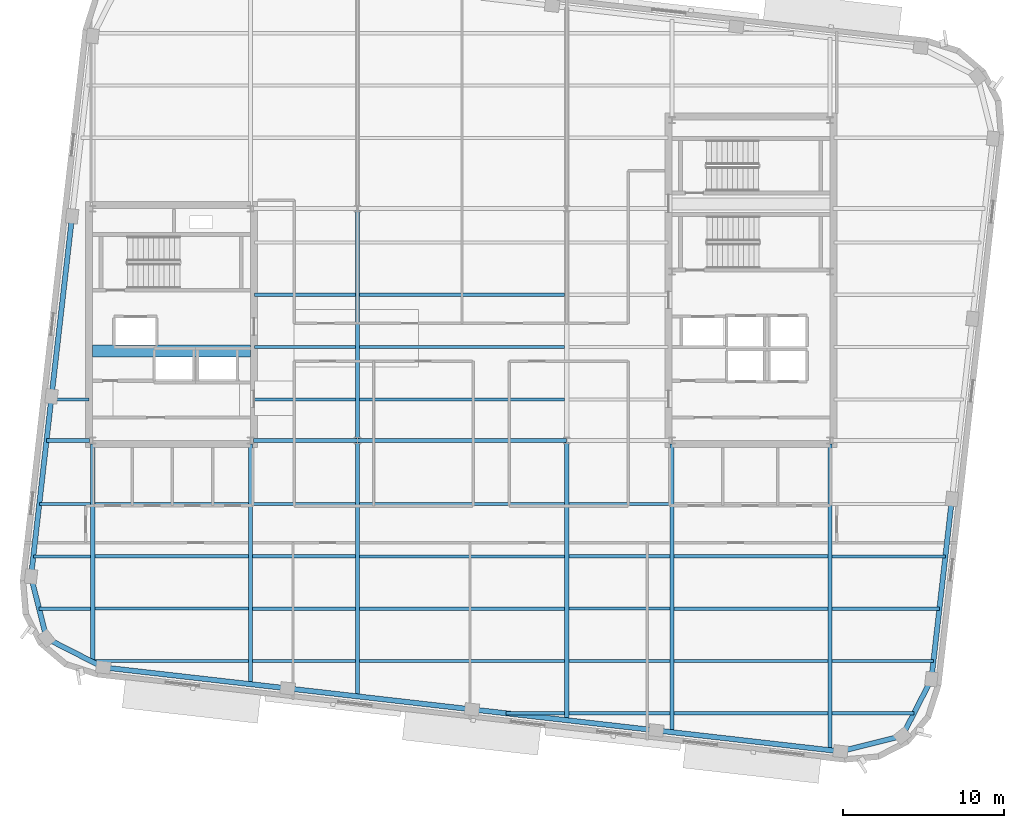
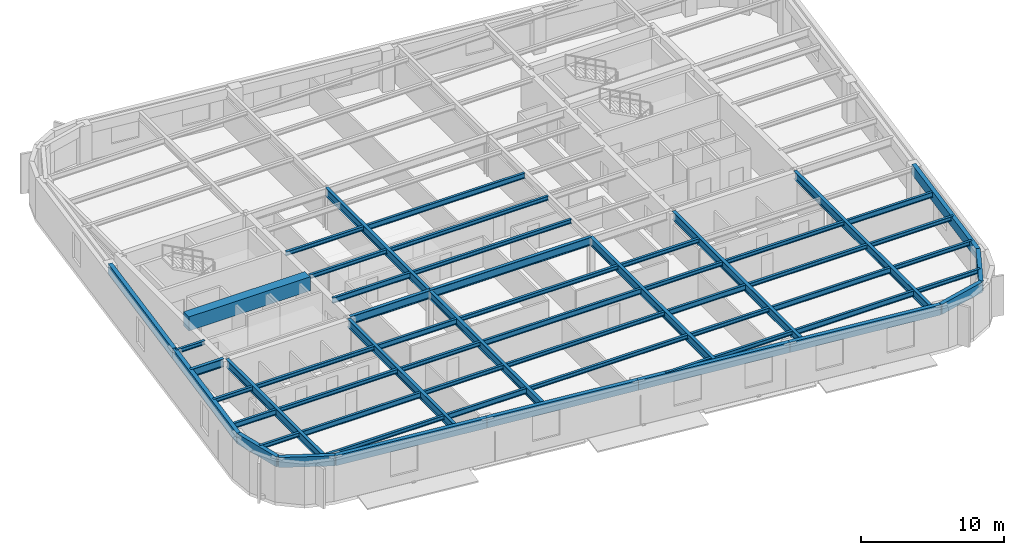
# One storey, part 3 of 14: 58 beams.
"""IFC4 building model written with IfcOpenShell, lengths in metres."""

from ifc_helpers import new_model, si_unit, direction, frame, origin, origin_2d, place, context, subcontext, project, spatial, rectangle, hollow_rectangle, i_section, extrude, material, material_profile, profile_set, type_object, element, save


model = new_model("IFC4")

# Units and contexts
model_context = context("Model", 3, precision=1e-05, world=origin(), true_north=direction((0.0, 1.0)))
body_context = subcontext(model_context, "Body", "Model", "MODEL_VIEW")
ifc_project = project(units=[si_unit("LENGTHUNIT", "METRE"), si_unit("AREAUNIT", "SQUARE_METRE"), si_unit("VOLUMEUNIT", "CUBIC_METRE"), si_unit("PLANEANGLEUNIT", "RADIAN"), si_unit("MASSUNIT", "GRAM", prefix="KILO")], contexts=[model_context])

# Site, building, storey
site_placement = place(None, origin())
site = spatial("IfcSite", under=ifc_project, at=site_placement, CompositionType="ELEMENT")
building_placement = place(site_placement, origin())
building = spatial("IfcBuilding", under=site, at=building_placement, Name="Kolvaren Arena Tower", CompositionType="ELEMENT")
storey_placement = place(building_placement, frame((0.0, 0.0, 224.699951171875)))
storey = spatial("IfcBuildingStorey", under=building, at=storey_placement, Name="L54", CompositionType="ELEMENT", Elevation=224.699951171875)

# Beams
ifc_material_1 = material(Name="Steel CSA G40.21 350W", Category="steel")
ifc_material_profile_1 = material_profile(ifc_material_1, i_section(OverallWidth=0.193115234375, OverallDepth=0.462890625, WebThickness=0.0107421875, FlangeThickness=0.0205078125, FilletRadius=0.012939453125, at=origin_2d()), Name="W460x113")
ifc_profile_set_1 = profile_set([ifc_material_profile_1], Name="Steel CSA G40.21 350W")
beam_type_1 = type_object("IfcBeamType", Name="BEAM-F2", PredefinedType="BEAM", material=ifc_profile_set_1)
beam_1_placement = place(storey_placement, frame((50.677490234375, 2.5, 3.24853515625), z_axis=(1.0, 0.0, 0.0), x_axis=(0.0, 1.0, 0.0)))
element("IfcBeam", 1, at=beam_1_placement, inside=storey, type_object=beam_type_1, Name="Composite Floor Beam (L54)", PredefinedType="BEAM", context=body_context, shape_type="SweptSolid", body=[
    extrude(i_section(OverallWidth=0.193115234375, OverallDepth=0.462890625, WebThickness=0.0107421875, FlangeThickness=0.0205078125, FilletRadius=0.012939453125, at=origin_2d()), origin(), (0.0, 0.0, 1.0), 9.544921875),
])
beam_2_placement = place(storey_placement, frame((24.4775390625, 5.75, 3.24853515625), z_axis=(1.0, 0.0, 0.0), x_axis=(0.0, 1.0, 0.0)))
element("IfcBeam", 2, at=beam_2_placement, inside=storey, type_object=beam_type_1, Name="Composite Floor Beam (L54)", PredefinedType="BEAM", context=body_context, shape_type="SweptSolid", body=[
    extrude(i_section(OverallWidth=0.193115234375, OverallDepth=0.462890625, WebThickness=0.0107421875, FlangeThickness=0.0205078125, FilletRadius=0.012939453125, at=origin_2d()), origin(), (0.0, 0.0, 1.0), 6.39501953125),
])
for number, where, z_axis, x_axis, name in (
    (3, (50.677490234375, 5.75, 3.24853515625), (1.0, 0.0, 0.0), (0.0, 1.0, 0.0), "Composite Floor Beam (L54)"),
    (4, (14.677490234375, 9.0, 3.24853515625), (1.0, 0.0, 0.0), (0.0, 1.0, 0.0), "Composite Floor Beam (L54)"),
):
    element("IfcBeam", number, at=place(storey_placement, frame(where, z_axis=z_axis, x_axis=x_axis)), inside=storey, type_object=beam_type_1, Name=name, PredefinedType="BEAM", context=body_context, shape_type="SweptSolid", body=[
        extrude(i_section(OverallWidth=0.193115234375, OverallDepth=0.462890625, WebThickness=0.0107421875, FlangeThickness=0.0205078125, FilletRadius=0.012939453125, at=origin_2d()), origin(), (0.0, 0.0, 1.0), 9.544921875),
    ])
beam_3_placement = place(storey_placement, frame((44.12744140625, 9.0, 3.24853515625), z_axis=(1.0, 0.0, 0.0), x_axis=(0.0, 1.0, 0.0)))
element("IfcBeam", 5, at=beam_3_placement, inside=storey, type_object=beam_type_1, Name="Composite Floor Beam (L54)", PredefinedType="BEAM", context=body_context, shape_type="SweptSolid", body=[
    extrude(i_section(OverallWidth=0.193115234375, OverallDepth=0.462890625, WebThickness=0.0107421875, FlangeThickness=0.0205078125, FilletRadius=0.012939453125, at=origin_2d()), origin(), (0.0, 0.0, 1.0), 6.295166015625),
])
beam_4_placement = place(storey_placement, frame((10.86083984375, 12.25, 3.24853515625), z_axis=(1.0, 0.0, 0.0), x_axis=(0.0, 1.0, 0.0)))
element("IfcBeam", 6, at=beam_4_placement, inside=storey, type_object=beam_type_1, Name="Composite Floor Beam (L54)", PredefinedType="BEAM", context=body_context, shape_type="SweptSolid", body=[
    extrude(i_section(OverallWidth=0.193115234375, OverallDepth=0.462890625, WebThickness=0.0107421875, FlangeThickness=0.0205078125, FilletRadius=0.012939453125, at=origin_2d()), origin(), (0.0, 0.0, 1.0), 3.561767578125),
])
beam_5_placement = place(storey_placement, frame((31.12744140625, 12.25, 3.24853515625), z_axis=(1.0, 0.0, 0.0), x_axis=(0.0, 1.0, 0.0)))
element("IfcBeam", 7, at=beam_5_placement, inside=storey, type_object=beam_type_1, Name="Composite Floor Beam (L54)", PredefinedType="BEAM", context=body_context, shape_type="SweptSolid", body=[
    extrude(i_section(OverallWidth=0.193115234375, OverallDepth=0.462890625, WebThickness=0.0107421875, FlangeThickness=0.0205078125, FilletRadius=0.012939453125, at=origin_2d()), origin(), (0.0, 0.0, 1.0), 12.7451171875),
])
beam_6_placement = place(storey_placement, frame((60.4775390625, 12.25, 3.24853515625), z_axis=(1.0, 0.0, 0.0), x_axis=(0.0, 1.0, 0.0)))
element("IfcBeam", 8, at=beam_6_placement, inside=storey, type_object=beam_type_1, Name="Composite Floor Beam (L54)", PredefinedType="BEAM", context=body_context, shape_type="SweptSolid", body=[
    extrude(i_section(OverallWidth=0.193115234375, OverallDepth=0.462890625, WebThickness=0.0107421875, FlangeThickness=0.0205078125, FilletRadius=0.012939453125, at=origin_2d()), origin(), (0.0, 0.0, 1.0), 7.04736328125),
])
beam_7_placement = place(storey_placement, frame((24.4775390625, 15.5, 3.24853515625), z_axis=(1.0, 0.0, 0.0), x_axis=(0.0, 1.0, 0.0)))
element("IfcBeam", 9, at=beam_7_placement, inside=storey, type_object=beam_type_1, Name="Composite Floor Beam (L54)", PredefinedType="BEAM", context=body_context, shape_type="SweptSolid", body=[
    extrude(i_section(OverallWidth=0.193115234375, OverallDepth=0.462890625, WebThickness=0.0107421875, FlangeThickness=0.0205078125, FilletRadius=0.012939453125, at=origin_2d()), origin(), (0.0, 0.0, 1.0), 6.39501953125),
])
beam_8_placement = place(storey_placement, frame((24.594970703125, 22.0, 3.24853515625), z_axis=(1.0, 0.0, 0.0), x_axis=(0.0, 1.0, 0.0)))
element("IfcBeam", 10, at=beam_8_placement, inside=storey, type_object=beam_type_1, Name="Composite Floor Beam (L54)", PredefinedType="BEAM", context=body_context, shape_type="SweptSolid", body=[
    extrude(i_section(OverallWidth=0.193115234375, OverallDepth=0.462890625, WebThickness=0.0107421875, FlangeThickness=0.0205078125, FilletRadius=0.012939453125, at=origin_2d()), origin(), (0.0, 0.0, 1.0), 6.277587890625),
])
beam_9_placement = place(storey_placement, frame((31.12744140625, 28.5, 3.24853515625), z_axis=(1.0, 0.0, 0.0), x_axis=(0.0, 1.0, 0.0)))
element("IfcBeam", 11, at=beam_9_placement, inside=storey, type_object=beam_type_1, Name="Composite Floor Beam (L54)", PredefinedType="BEAM", context=body_context, shape_type="SweptSolid", body=[
    extrude(i_section(OverallWidth=0.193115234375, OverallDepth=0.462890625, WebThickness=0.0107421875, FlangeThickness=0.0205078125, FilletRadius=0.012939453125, at=origin_2d()), origin(), (0.0, 0.0, 1.0), 12.7451171875),
])
ifc_material_2 = material(Name="Concrete 60 MPa", Category="concrete")
ifc_material_profile_2 = material_profile(ifc_material_2, rectangle(XDim=0.75, YDim=1.199951171875, at=origin_2d()), Name="RC-750x1200")
ifc_profile_set_2 = profile_set([ifc_material_profile_2], Name="Concrete 60 MPa")
beam_type_2 = type_object("IfcBeamType", Name="CB-CORE-2", PredefinedType="BEAM", material=ifc_profile_set_2)
beam_10_placement = place(storey_placement, frame((14.550048828125, 25.0, 3.150146484375), z_axis=(1.0, 0.0, 0.0), x_axis=(0.0, 1.0, 0.0)))
element("IfcBeam", 12, at=beam_10_placement, inside=storey, type_object=beam_type_2, Name="West Core Coupling Beam (L54)", PredefinedType="BEAM", context=body_context, shape_type="SweptSolid", body=[
    extrude(rectangle(XDim=0.75, YDim=1.199951171875, at=origin_2d()), origin(), (0.0, 0.0, 1.0), 9.800048828125),
])
ifc_material_profile_3 = material_profile(ifc_material_1, i_section(OverallWidth=0.2548828125, OverallDepth=0.695068359375, WebThickness=0.01708984375, FlangeThickness=0.02978515625, FilletRadius=0.01611328125, at=origin_2d()), Name="W690x217")
ifc_profile_set_3 = profile_set([ifc_material_profile_3], Name="Steel CSA G40.21 350W")
beam_type_3 = type_object("IfcBeamType", Name="GIRD-T2", PredefinedType="BEAM", material=ifc_profile_set_3)
beam_11_placement = place(storey_placement, frame((11.68115234375, 19.449951171875, 3.132568359375), z_axis=(1.0, 0.0, 0.0), x_axis=(0.0, 1.0, 0.0)))
element("IfcBeam", 13, at=beam_11_placement, inside=storey, type_object=beam_type_3, Name="Primary Floor Girder (L54)", PredefinedType="BEAM", context=body_context, shape_type="SweptSolid", body=[
    extrude(i_section(OverallWidth=0.2548828125, OverallDepth=0.695068359375, WebThickness=0.01708984375, FlangeThickness=0.02978515625, FilletRadius=0.01611328125, at=origin_2d()), origin(), (0.0, 0.0, 1.0), 2.663818359375),
])
beam_12_placement = place(storey_placement, frame((24.554931640625, 19.449951171875, 3.132568359375), z_axis=(1.0, 0.0, 0.0), x_axis=(0.0, 1.0, 0.0)))
element("IfcBeam", 14, at=beam_12_placement, inside=storey, type_object=beam_type_3, Name="Primary Floor Girder (L54)", PredefinedType="BEAM", context=body_context, shape_type="SweptSolid", body=[
    extrude(i_section(OverallWidth=0.2548828125, OverallDepth=0.695068359375, WebThickness=0.01708984375, FlangeThickness=0.02978515625, FilletRadius=0.01611328125, at=origin_2d()), origin(), (0.0, 0.0, 1.0), 6.445068359375),
])
beam_13_placement = place(storey_placement, frame((31.0, 19.449951171875, 3.132568359375), z_axis=(1.0, 0.0, 0.0), x_axis=(0.0, 1.0, 0.0)))
element("IfcBeam", 15, at=beam_13_placement, inside=storey, type_object=beam_type_3, Name="Primary Floor Girder (L54)", PredefinedType="BEAM", context=body_context, shape_type="SweptSolid", body=[
    extrude(i_section(OverallWidth=0.2548828125, OverallDepth=0.695068359375, WebThickness=0.01708984375, FlangeThickness=0.02978515625, FilletRadius=0.01611328125, at=origin_2d()), origin(), (0.0, 0.0, 1.0), 13.0),
])
beam_14_placement = place(storey_placement, frame((14.550048828125, 5.686767578125, 3.132568359375), z_axis=(0.0, 1.0, 0.0), x_axis=(-1.0, 0.0, 0.0)))
element("IfcBeam", 16, at=beam_14_placement, inside=storey, type_object=beam_type_3, Name="Primary Floor Girder (L54)", PredefinedType="BEAM", context=body_context, shape_type="SweptSolid", body=[
    extrude(i_section(OverallWidth=0.2548828125, OverallDepth=0.695068359375, WebThickness=0.01708984375, FlangeThickness=0.02978515625, FilletRadius=0.01611328125, at=origin_2d()), origin(), (0.0, 0.0, 1.0), 13.558349609375),
])
beam_15_placement = place(storey_placement, frame((24.35009765625, 4.30908203125, 3.132568359375), z_axis=(0.0, 1.0, 0.0), x_axis=(-1.0, 0.0, 0.0)))
element("IfcBeam", 17, at=beam_15_placement, inside=storey, type_object=beam_type_3, Name="Primary Floor Girder (L54)", PredefinedType="BEAM", context=body_context, shape_type="SweptSolid", body=[
    extrude(i_section(OverallWidth=0.2548828125, OverallDepth=0.695068359375, WebThickness=0.01708984375, FlangeThickness=0.02978515625, FilletRadius=0.01611328125, at=origin_2d()), origin(), (0.0, 0.0, 1.0), 14.93603515625),
])
beam_16_placement = place(storey_placement, frame((31.0, 3.551513671875, 3.132568359375), z_axis=(0.0, 1.0, 0.0), x_axis=(-1.0, 0.0, 0.0)))
element("IfcBeam", 18, at=beam_16_placement, inside=storey, type_object=beam_type_3, Name="Primary Floor Girder (L54)", PredefinedType="BEAM", context=body_context, shape_type="SweptSolid", body=[
    extrude(i_section(OverallWidth=0.2548828125, OverallDepth=0.695068359375, WebThickness=0.01708984375, FlangeThickness=0.02978515625, FilletRadius=0.01611328125, at=origin_2d()), origin(), (0.0, 0.0, 1.0), 15.8984375),
])
beam_17_placement = place(storey_placement, frame((31.0, 19.449951171875, 3.132568359375), z_axis=(0.0, 1.0, 0.0), x_axis=(-1.0, 0.0, 0.0)))
element("IfcBeam", 19, at=beam_17_placement, inside=storey, type_object=beam_type_3, Name="Primary Floor Girder (L54)", PredefinedType="BEAM", context=body_context, shape_type="SweptSolid", body=[
    extrude(i_section(OverallWidth=0.2548828125, OverallDepth=0.695068359375, WebThickness=0.01708984375, FlangeThickness=0.02978515625, FilletRadius=0.01611328125, at=origin_2d()), origin(), (0.0, 0.0, 1.0), 14.400146484375),
])
beam_18_placement = place(storey_placement, frame((44.0, 2.0703125, 3.132568359375), z_axis=(0.0, 1.0, 0.0), x_axis=(-1.0, 0.0, 0.0)))
element("IfcBeam", 20, at=beam_18_placement, inside=storey, type_object=beam_type_3, Name="Primary Floor Girder (L54)", PredefinedType="BEAM", context=body_context, shape_type="SweptSolid", body=[
    extrude(i_section(OverallWidth=0.2548828125, OverallDepth=0.695068359375, WebThickness=0.01708984375, FlangeThickness=0.02978515625, FilletRadius=0.01611328125, at=origin_2d()), origin(), (0.0, 0.0, 1.0), 17.379638671875),
])
beam_19_placement = place(storey_placement, frame((50.550048828125, 1.323974609375, 3.132568359375), z_axis=(0.0, 1.0, 0.0), x_axis=(-1.0, 0.0, 0.0)))
element("IfcBeam", 21, at=beam_19_placement, inside=storey, type_object=beam_type_3, Name="Primary Floor Girder (L54)", PredefinedType="BEAM", context=body_context, shape_type="SweptSolid", body=[
    extrude(i_section(OverallWidth=0.2548828125, OverallDepth=0.695068359375, WebThickness=0.01708984375, FlangeThickness=0.02978515625, FilletRadius=0.01611328125, at=origin_2d()), origin(), (0.0, 0.0, 1.0), 17.921142578125),
])
beam_20_placement = place(storey_placement, frame((60.35009765625, 0.20751953125, 3.132568359375), z_axis=(0.0, 1.0, 0.0), x_axis=(-1.0, 0.0, 0.0)))
element("IfcBeam", 22, at=beam_20_placement, inside=storey, type_object=beam_type_3, Name="Primary Floor Girder (L54)", PredefinedType="BEAM", context=body_context, shape_type="SweptSolid", body=[
    extrude(i_section(OverallWidth=0.2548828125, OverallDepth=0.695068359375, WebThickness=0.01708984375, FlangeThickness=0.02978515625, FilletRadius=0.01611328125, at=origin_2d()), origin(), (0.0, 0.0, 1.0), 19.03759765625),
])
ifc_material_profile_4 = material_profile(ifc_material_1, i_section(OverallWidth=0.202880859375, OverallDepth=0.346923828125, WebThickness=0.0078125, FlangeThickness=0.013427734375, FilletRadius=0.010986328125, at=origin_2d()), Name="W360x64")
ifc_profile_set_4 = profile_set([ifc_material_profile_4], Name="Steel CSA G40.21 350W")
beam_type_4 = type_object("IfcBeamType", Name="JOIST-01", PredefinedType="JOIST", material=ifc_profile_set_4)
beam_21_placement = place(storey_placement, frame((40.228271484375, 2.5, 3.306640625), z_axis=(1.0, 0.0, 0.0), x_axis=(0.0, 1.0, 0.0)))
element("IfcBeam", 23, at=beam_21_placement, inside=storey, type_object=beam_type_4, Name="Composite Floor Joist (L54)", PredefinedType="JOIST", context=body_context, shape_type="SweptSolid", body=[
    extrude(i_section(OverallWidth=0.202880859375, OverallDepth=0.346923828125, WebThickness=0.0078125, FlangeThickness=0.013427734375, FilletRadius=0.010986328125, at=origin_2d()), origin(), (0.0, 0.0, 1.0), 3.644287109375),
])
beam_22_placement = place(storey_placement, frame((44.12744140625, 2.5, 3.306640625), z_axis=(1.0, 0.0, 0.0), x_axis=(0.0, 1.0, 0.0)))
element("IfcBeam", 24, at=beam_22_placement, inside=storey, type_object=beam_type_4, Name="Composite Floor Joist (L54)", PredefinedType="JOIST", context=body_context, shape_type="SweptSolid", body=[
    extrude(i_section(OverallWidth=0.202880859375, OverallDepth=0.346923828125, WebThickness=0.0078125, FlangeThickness=0.013427734375, FilletRadius=0.010986328125, at=origin_2d()), origin(), (0.0, 0.0, 1.0), 6.295166015625),
])
beam_23_placement = place(storey_placement, frame((60.4775390625, 2.5, 3.306640625), z_axis=(1.0, 0.0, 0.0), x_axis=(0.0, 1.0, 0.0)))
element("IfcBeam", 25, at=beam_23_placement, inside=storey, type_object=beam_type_4, Name="Composite Floor Joist (L54)", PredefinedType="JOIST", context=body_context, shape_type="SweptSolid", body=[
    extrude(i_section(OverallWidth=0.202880859375, OverallDepth=0.346923828125, WebThickness=0.0078125, FlangeThickness=0.013427734375, FilletRadius=0.010986328125, at=origin_2d()), origin(), (0.0, 0.0, 1.0), 5.09423828125),
])
beam_24_placement = place(storey_placement, frame((14.42626953125, 5.75, 3.306640625), z_axis=(1.0, 0.0, 0.0), x_axis=(0.0, 1.0, 0.0)))
element("IfcBeam", 26, at=beam_24_placement, inside=storey, type_object=beam_type_4, Name="Composite Floor Joist (L54)", PredefinedType="JOIST", context=body_context, shape_type="SweptSolid", body=[
    extrude(i_section(OverallWidth=0.202880859375, OverallDepth=0.346923828125, WebThickness=0.0078125, FlangeThickness=0.013427734375, FilletRadius=0.010986328125, at=origin_2d()), origin(), (0.0, 0.0, 1.0), 9.796142578125),
])
beam_25_placement = place(storey_placement, frame((31.12744140625, 5.75, 3.306640625), z_axis=(1.0, 0.0, 0.0), x_axis=(0.0, 1.0, 0.0)))
element("IfcBeam", 27, at=beam_25_placement, inside=storey, type_object=beam_type_4, Name="Composite Floor Joist (L54)", PredefinedType="JOIST", context=body_context, shape_type="SweptSolid", body=[
    extrude(i_section(OverallWidth=0.202880859375, OverallDepth=0.346923828125, WebThickness=0.0078125, FlangeThickness=0.013427734375, FilletRadius=0.010986328125, at=origin_2d()), origin(), (0.0, 0.0, 1.0), 12.7451171875),
])
beam_26_placement = place(storey_placement, frame((44.12744140625, 5.75, 3.306640625), z_axis=(1.0, 0.0, 0.0), x_axis=(0.0, 1.0, 0.0)))
element("IfcBeam", 28, at=beam_26_placement, inside=storey, type_object=beam_type_4, Name="Composite Floor Joist (L54)", PredefinedType="JOIST", context=body_context, shape_type="SweptSolid", body=[
    extrude(i_section(OverallWidth=0.202880859375, OverallDepth=0.346923828125, WebThickness=0.0078125, FlangeThickness=0.013427734375, FilletRadius=0.010986328125, at=origin_2d()), origin(), (0.0, 0.0, 1.0), 6.295166015625),
])
beam_27_placement = place(storey_placement, frame((60.4775390625, 5.75, 3.306640625), z_axis=(1.0, 0.0, 0.0), x_axis=(0.0, 1.0, 0.0)))
element("IfcBeam", 29, at=beam_27_placement, inside=storey, type_object=beam_type_4, Name="Composite Floor Joist (L54)", PredefinedType="JOIST", context=body_context, shape_type="SweptSolid", body=[
    extrude(i_section(OverallWidth=0.202880859375, OverallDepth=0.346923828125, WebThickness=0.0078125, FlangeThickness=0.013427734375, FilletRadius=0.010986328125, at=origin_2d()), origin(), (0.0, 0.0, 1.0), 6.306884765625),
])
beam_28_placement = place(storey_placement, frame((11.217529296875, 9.0, 3.306640625), z_axis=(1.0, 0.0, 0.0), x_axis=(0.0, 1.0, 0.0)))
element("IfcBeam", 30, at=beam_28_placement, inside=storey, type_object=beam_type_4, Name="Composite Floor Joist (L54)", PredefinedType="JOIST", context=body_context, shape_type="SweptSolid", body=[
    extrude(i_section(OverallWidth=0.202880859375, OverallDepth=0.346923828125, WebThickness=0.0078125, FlangeThickness=0.013427734375, FilletRadius=0.010986328125, at=origin_2d()), origin(), (0.0, 0.0, 1.0), 3.205078125),
])
beam_29_placement = place(storey_placement, frame((24.4775390625, 9.0, 3.306640625), z_axis=(1.0, 0.0, 0.0), x_axis=(0.0, 1.0, 0.0)))
element("IfcBeam", 31, at=beam_29_placement, inside=storey, type_object=beam_type_4, Name="Composite Floor Joist (L54)", PredefinedType="JOIST", context=body_context, shape_type="SweptSolid", body=[
    extrude(i_section(OverallWidth=0.202880859375, OverallDepth=0.346923828125, WebThickness=0.0078125, FlangeThickness=0.013427734375, FilletRadius=0.010986328125, at=origin_2d()), origin(), (0.0, 0.0, 1.0), 6.39501953125),
])
beam_30_placement = place(storey_placement, frame((31.12744140625, 9.0, 3.306640625), z_axis=(1.0, 0.0, 0.0), x_axis=(0.0, 1.0, 0.0)))
element("IfcBeam", 32, at=beam_30_placement, inside=storey, type_object=beam_type_4, Name="Composite Floor Joist (L54)", PredefinedType="JOIST", context=body_context, shape_type="SweptSolid", body=[
    extrude(i_section(OverallWidth=0.202880859375, OverallDepth=0.346923828125, WebThickness=0.0078125, FlangeThickness=0.013427734375, FilletRadius=0.010986328125, at=origin_2d()), origin(), (0.0, 0.0, 1.0), 12.7451171875),
])
beam_31_placement = place(storey_placement, frame((50.677490234375, 9.0, 3.306640625), z_axis=(1.0, 0.0, 0.0), x_axis=(0.0, 1.0, 0.0)))
element("IfcBeam", 33, at=beam_31_placement, inside=storey, type_object=beam_type_4, Name="Composite Floor Joist (L54)", PredefinedType="JOIST", context=body_context, shape_type="SweptSolid", body=[
    extrude(i_section(OverallWidth=0.202880859375, OverallDepth=0.346923828125, WebThickness=0.0078125, FlangeThickness=0.013427734375, FilletRadius=0.010986328125, at=origin_2d()), origin(), (0.0, 0.0, 1.0), 9.544921875),
])
beam_32_placement = place(storey_placement, frame((60.4775390625, 9.0, 3.306640625), z_axis=(1.0, 0.0, 0.0), x_axis=(0.0, 1.0, 0.0)))
element("IfcBeam", 34, at=beam_32_placement, inside=storey, type_object=beam_type_4, Name="Composite Floor Joist (L54)", PredefinedType="JOIST", context=body_context, shape_type="SweptSolid", body=[
    extrude(i_section(OverallWidth=0.202880859375, OverallDepth=0.346923828125, WebThickness=0.0078125, FlangeThickness=0.013427734375, FilletRadius=0.010986328125, at=origin_2d()), origin(), (0.0, 0.0, 1.0), 6.67724609375),
])
beam_33_placement = place(storey_placement, frame((14.677490234375, 12.25, 3.306640625), z_axis=(1.0, 0.0, 0.0), x_axis=(0.0, 1.0, 0.0)))
element("IfcBeam", 35, at=beam_33_placement, inside=storey, type_object=beam_type_4, Name="Composite Floor Joist (L54)", PredefinedType="JOIST", context=body_context, shape_type="SweptSolid", body=[
    extrude(i_section(OverallWidth=0.202880859375, OverallDepth=0.346923828125, WebThickness=0.0078125, FlangeThickness=0.013427734375, FilletRadius=0.010986328125, at=origin_2d()), origin(), (0.0, 0.0, 1.0), 9.544921875),
])
beam_34_placement = place(storey_placement, frame((24.4775390625, 12.25, 3.306640625), z_axis=(1.0, 0.0, 0.0), x_axis=(0.0, 1.0, 0.0)))
element("IfcBeam", 36, at=beam_34_placement, inside=storey, type_object=beam_type_4, Name="Composite Floor Joist (L54)", PredefinedType="JOIST", context=body_context, shape_type="SweptSolid", body=[
    extrude(i_section(OverallWidth=0.202880859375, OverallDepth=0.346923828125, WebThickness=0.0078125, FlangeThickness=0.013427734375, FilletRadius=0.010986328125, at=origin_2d()), origin(), (0.0, 0.0, 1.0), 6.39501953125),
])
beam_35_placement = place(storey_placement, frame((44.12744140625, 12.25, 3.306640625), z_axis=(1.0, 0.0, 0.0), x_axis=(0.0, 1.0, 0.0)))
element("IfcBeam", 37, at=beam_35_placement, inside=storey, type_object=beam_type_4, Name="Composite Floor Joist (L54)", PredefinedType="JOIST", context=body_context, shape_type="SweptSolid", body=[
    extrude(i_section(OverallWidth=0.202880859375, OverallDepth=0.346923828125, WebThickness=0.0078125, FlangeThickness=0.013427734375, FilletRadius=0.010986328125, at=origin_2d()), origin(), (0.0, 0.0, 1.0), 6.295166015625),
])
beam_36_placement = place(storey_placement, frame((50.677490234375, 12.25, 3.306640625), z_axis=(1.0, 0.0, 0.0), x_axis=(0.0, 1.0, 0.0)))
element("IfcBeam", 38, at=beam_36_placement, inside=storey, type_object=beam_type_4, Name="Composite Floor Joist (L54)", PredefinedType="JOIST", context=body_context, shape_type="SweptSolid", body=[
    extrude(i_section(OverallWidth=0.202880859375, OverallDepth=0.346923828125, WebThickness=0.0078125, FlangeThickness=0.013427734375, FilletRadius=0.010986328125, at=origin_2d()), origin(), (0.0, 0.0, 1.0), 9.544921875),
])
beam_37_placement = place(storey_placement, frame((11.23095703125, 15.5, 3.306640625), z_axis=(1.0, 0.0, 0.0), x_axis=(0.0, 1.0, 0.0)))
element("IfcBeam", 39, at=beam_37_placement, inside=storey, type_object=beam_type_4, Name="Composite Floor Joist (L54)", PredefinedType="JOIST", context=body_context, shape_type="SweptSolid", body=[
    extrude(i_section(OverallWidth=0.202880859375, OverallDepth=0.346923828125, WebThickness=0.0078125, FlangeThickness=0.013427734375, FilletRadius=0.010986328125, at=origin_2d()), origin(), (0.0, 0.0, 1.0), 3.191650390625),
])
beam_38_placement = place(storey_placement, frame((14.677490234375, 15.5, 3.306640625), z_axis=(1.0, 0.0, 0.0), x_axis=(0.0, 1.0, 0.0)))
element("IfcBeam", 40, at=beam_38_placement, inside=storey, type_object=beam_type_4, Name="Composite Floor Joist (L54)", PredefinedType="JOIST", context=body_context, shape_type="SweptSolid", body=[
    extrude(i_section(OverallWidth=0.202880859375, OverallDepth=0.346923828125, WebThickness=0.0078125, FlangeThickness=0.013427734375, FilletRadius=0.010986328125, at=origin_2d()), origin(), (0.0, 0.0, 1.0), 9.544921875),
])
beam_39_placement = place(storey_placement, frame((31.12744140625, 15.5, 3.306640625), z_axis=(1.0, 0.0, 0.0), x_axis=(0.0, 1.0, 0.0)))
element("IfcBeam", 41, at=beam_39_placement, inside=storey, type_object=beam_type_4, Name="Composite Floor Joist (L54)", PredefinedType="JOIST", context=body_context, shape_type="SweptSolid", body=[
    extrude(i_section(OverallWidth=0.202880859375, OverallDepth=0.346923828125, WebThickness=0.0078125, FlangeThickness=0.013427734375, FilletRadius=0.010986328125, at=origin_2d()), origin(), (0.0, 0.0, 1.0), 12.7451171875),
])
beam_40_placement = place(storey_placement, frame((44.12744140625, 15.5, 3.306640625), z_axis=(1.0, 0.0, 0.0), x_axis=(0.0, 1.0, 0.0)))
element("IfcBeam", 42, at=beam_40_placement, inside=storey, type_object=beam_type_4, Name="Composite Floor Joist (L54)", PredefinedType="JOIST", context=body_context, shape_type="SweptSolid", body=[
    extrude(i_section(OverallWidth=0.202880859375, OverallDepth=0.346923828125, WebThickness=0.0078125, FlangeThickness=0.013427734375, FilletRadius=0.010986328125, at=origin_2d()), origin(), (0.0, 0.0, 1.0), 6.295166015625),
])
beam_41_placement = place(storey_placement, frame((11.9716796875, 22.0, 3.306640625), z_axis=(1.0, 0.0, 0.0), x_axis=(0.0, 1.0, 0.0)))
element("IfcBeam", 43, at=beam_41_placement, inside=storey, type_object=beam_type_4, Name="Composite Floor Joist (L54)", PredefinedType="JOIST", context=body_context, shape_type="SweptSolid", body=[
    extrude(i_section(OverallWidth=0.202880859375, OverallDepth=0.346923828125, WebThickness=0.0078125, FlangeThickness=0.013427734375, FilletRadius=0.010986328125, at=origin_2d()), origin(), (0.0, 0.0, 1.0), 2.333251953125),
])
beam_42_placement = place(storey_placement, frame((31.12744140625, 22.0, 3.306640625), z_axis=(1.0, 0.0, 0.0), x_axis=(0.0, 1.0, 0.0)))
element("IfcBeam", 44, at=beam_42_placement, inside=storey, type_object=beam_type_4, Name="Composite Floor Joist (L54)", PredefinedType="JOIST", context=body_context, shape_type="SweptSolid", body=[
    extrude(i_section(OverallWidth=0.202880859375, OverallDepth=0.346923828125, WebThickness=0.0078125, FlangeThickness=0.013427734375, FilletRadius=0.010986328125, at=origin_2d()), origin(), (0.0, 0.0, 1.0), 12.7451171875),
])
beam_43_placement = place(storey_placement, frame((24.594970703125, 25.25, 3.306640625), z_axis=(1.0, 0.0, 0.0), x_axis=(0.0, 1.0, 0.0)))
element("IfcBeam", 45, at=beam_43_placement, inside=storey, type_object=beam_type_4, Name="Composite Floor Joist (L54)", PredefinedType="JOIST", context=body_context, shape_type="SweptSolid", body=[
    extrude(i_section(OverallWidth=0.202880859375, OverallDepth=0.346923828125, WebThickness=0.0078125, FlangeThickness=0.013427734375, FilletRadius=0.010986328125, at=origin_2d()), origin(), (0.0, 0.0, 1.0), 6.277587890625),
])
beam_44_placement = place(storey_placement, frame((31.12744140625, 25.25, 3.306640625), z_axis=(1.0, 0.0, 0.0), x_axis=(0.0, 1.0, 0.0)))
element("IfcBeam", 46, at=beam_44_placement, inside=storey, type_object=beam_type_4, Name="Composite Floor Joist (L54)", PredefinedType="JOIST", context=body_context, shape_type="SweptSolid", body=[
    extrude(i_section(OverallWidth=0.202880859375, OverallDepth=0.346923828125, WebThickness=0.0078125, FlangeThickness=0.013427734375, FilletRadius=0.010986328125, at=origin_2d()), origin(), (0.0, 0.0, 1.0), 12.7451171875),
])
beam_45_placement = place(storey_placement, frame((24.594970703125, 28.5, 3.306640625), z_axis=(1.0, 0.0, 0.0), x_axis=(0.0, 1.0, 0.0)))
element("IfcBeam", 47, at=beam_45_placement, inside=storey, type_object=beam_type_4, Name="Composite Floor Joist (L54)", PredefinedType="JOIST", context=body_context, shape_type="SweptSolid", body=[
    extrude(i_section(OverallWidth=0.202880859375, OverallDepth=0.346923828125, WebThickness=0.0078125, FlangeThickness=0.013427734375, FilletRadius=0.010986328125, at=origin_2d()), origin(), (0.0, 0.0, 1.0), 6.277587890625),
])
ifc_material_3 = material(Name="Steel CSA G40.21 350WT", Category="steel")
ifc_material_profile_5 = material_profile(ifc_material_3, hollow_rectangle(XDim=0.320068359375, YDim=0.860107421875, WallThickness=0.01806640625, at=origin_2d()), Name="HSS 860x320x18")
ifc_profile_set_5 = profile_set([ifc_material_profile_5], Name="Steel CSA G40.21 350WT")
beam_type_5 = type_object("IfcBeamType", Name="SPAND-02", PredefinedType="SPANDREL", material=ifc_profile_set_5)
for number, where, z_axis, x_axis, name in (
    (48, (15.207763671875, 5.350830078125, 3.050048828125), (0.99357166944, -0.113204848336, 0.0), (0.113204848336, 0.99357166944, 0.0), "Perimeter Spandrel Beam (L54)"),
    (49, (26.65869140625, 4.046142578125, 3.050048828125), (0.99357166944, -0.113204848336, 0.0), (0.113204848336, 0.99357166944, 0.0), "Perimeter Spandrel Beam (L54)"),
):
    element("IfcBeam", number, at=place(storey_placement, frame(where, z_axis=z_axis, x_axis=x_axis)), inside=storey, type_object=beam_type_5, Name=name, PredefinedType="SPANDREL", context=body_context, shape_type="SweptSolid", body=[
        extrude(hollow_rectangle(XDim=0.320068359375, YDim=0.860107421875, WallThickness=0.01806640625, at=origin_2d()), origin(), (0.0, 0.0, 1.0), 11.52490234375),
    ])
beam_46_placement = place(storey_placement, frame((38.109619140625, 2.741455078125, 3.050048828125), z_axis=(0.993571397957, -0.113207231049, 0.0), x_axis=(0.113207231049, 0.993571397957, 0.0)))
element("IfcBeam", 50, at=beam_46_placement, inside=storey, type_object=beam_type_5, Name="Perimeter Spandrel Beam (L54)", PredefinedType="SPANDREL", context=body_context, shape_type="SweptSolid", body=[
    extrude(hollow_rectangle(XDim=0.320068359375, YDim=0.860107421875, WallThickness=0.01806640625, at=origin_2d()), origin(), (0.0, 0.0, 1.0), 11.524658203125),
])
beam_47_placement = place(storey_placement, frame((49.560302734375, 1.436767578125, 3.050048828125), z_axis=(0.993571940905, -0.113202465721, 0.0), x_axis=(0.113202465721, 0.993571940905, 0.0)))
element("IfcBeam", 51, at=beam_47_placement, inside=storey, type_object=beam_type_5, Name="Perimeter Spandrel Beam (L54)", PredefinedType="SPANDREL", context=body_context, shape_type="SweptSolid", body=[
    extrude(hollow_rectangle(XDim=0.320068359375, YDim=0.860107421875, WallThickness=0.01806640625, at=origin_2d()), origin(), (0.0, 0.0, 1.0), 11.525146484375),
])
beam_48_placement = place(storey_placement, frame((61.011474609375, 0.132080078125, 3.050048828125), z_axis=(0.970033632471, 0.242970681103, 0.0), x_axis=(-0.242970681103, 0.970033632471, 0.0)))
element("IfcBeam", 52, at=beam_48_placement, inside=storey, type_object=beam_type_5, Name="Perimeter Spandrel Beam (L54)", PredefinedType="SPANDREL", context=body_context, shape_type="SweptSolid", body=[
    extrude(hollow_rectangle(XDim=0.320068359375, YDim=0.860107421875, WallThickness=0.01806640625, at=origin_2d()), origin(), (0.0, 0.0, 1.0), 3.9609375),
])
beam_49_placement = place(storey_placement, frame((64.853759765625, 1.094482421875, 3.050048828125), z_axis=(0.454962284061, 0.89051070745, 0.0), x_axis=(-0.89051070745, 0.454962284061, 0.0)))
element("IfcBeam", 53, at=beam_49_placement, inside=storey, type_object=beam_type_5, Name="Perimeter Spandrel Beam (L54)", PredefinedType="SPANDREL", context=body_context, shape_type="SweptSolid", body=[
    extrude(hollow_rectangle(XDim=0.320068359375, YDim=0.860107421875, WallThickness=0.01806640625, at=origin_2d()), origin(), (0.0, 0.0, 1.0), 3.96142578125),
])
beam_50_placement = place(storey_placement, frame((66.656005859375, 4.6220703125, 3.050048828125), z_axis=(0.113201896536, 0.993572005755, 0.0), x_axis=(-0.993572005755, 0.113201896536, 0.0)))
element("IfcBeam", 54, at=beam_50_placement, inside=storey, type_object=beam_type_5, Name="Perimeter Spandrel Beam (L54)", PredefinedType="SPANDREL", context=body_context, shape_type="SweptSolid", body=[
    extrude(hollow_rectangle(XDim=0.320068359375, YDim=0.860107421875, WallThickness=0.01806640625, at=origin_2d()), origin(), (0.0, 0.0, 1.0), 11.2666015625),
])
beam_51_placement = place(storey_placement, frame((13.268798828125, 33.3837890625, 3.050048828125), z_axis=(-0.113220850685, -0.993569846045, 0.0), x_axis=(0.993569846045, -0.113220850685, 0.0)))
element("IfcBeam", 55, at=beam_51_placement, inside=storey, type_object=beam_type_5, Name="Perimeter Spandrel Beam (L54)", PredefinedType="SPANDREL", context=body_context, shape_type="SweptSolid", body=[
    extrude(hollow_rectangle(XDim=0.320068359375, YDim=0.860107421875, WallThickness=0.01806640625, at=origin_2d()), origin(), (0.0, 0.0, 1.0), 11.266845703125),
])
beam_52_placement = place(storey_placement, frame((11.9931640625, 22.189453125, 3.050048828125), z_axis=(-0.113201896536, -0.993572005755, 0.0), x_axis=(0.993572005755, -0.113201896536, 0.0)))
element("IfcBeam", 56, at=beam_52_placement, inside=storey, type_object=beam_type_5, Name="Perimeter Spandrel Beam (L54)", PredefinedType="SPANDREL", context=body_context, shape_type="SweptSolid", body=[
    extrude(hollow_rectangle(XDim=0.320068359375, YDim=0.860107421875, WallThickness=0.01806640625, at=origin_2d()), origin(), (0.0, 0.0, 1.0), 11.2666015625),
])
beam_53_placement = place(storey_placement, frame((10.7177734375, 10.995361328125, 3.050048828125), z_axis=(0.243014148252, -0.970022743934, 0.0), x_axis=(0.970022743934, 0.243014148252, 0.0)))
element("IfcBeam", 57, at=beam_53_placement, inside=storey, type_object=beam_type_5, Name="Perimeter Spandrel Beam (L54)", PredefinedType="SPANDREL", context=body_context, shape_type="SweptSolid", body=[
    extrude(hollow_rectangle(XDim=0.320068359375, YDim=0.860107421875, WallThickness=0.01806640625, at=origin_2d()), origin(), (0.0, 0.0, 1.0), 3.961181640625),
])
beam_54_placement = place(storey_placement, frame((11.680419921875, 7.15283203125, 3.050048828125), z_axis=(0.890522920884, -0.454938377564, 0.0), x_axis=(0.454938377564, 0.890522920884, 0.0)))
element("IfcBeam", 58, at=beam_54_placement, inside=storey, type_object=beam_type_5, Name="Perimeter Spandrel Beam (L54)", PredefinedType="SPANDREL", context=body_context, shape_type="SweptSolid", body=[
    extrude(hollow_rectangle(XDim=0.320068359375, YDim=0.860107421875, WallThickness=0.01806640625, at=origin_2d()), origin(), (0.0, 0.0, 1.0), 3.9609375),
])

save(model, "model.ifc")
